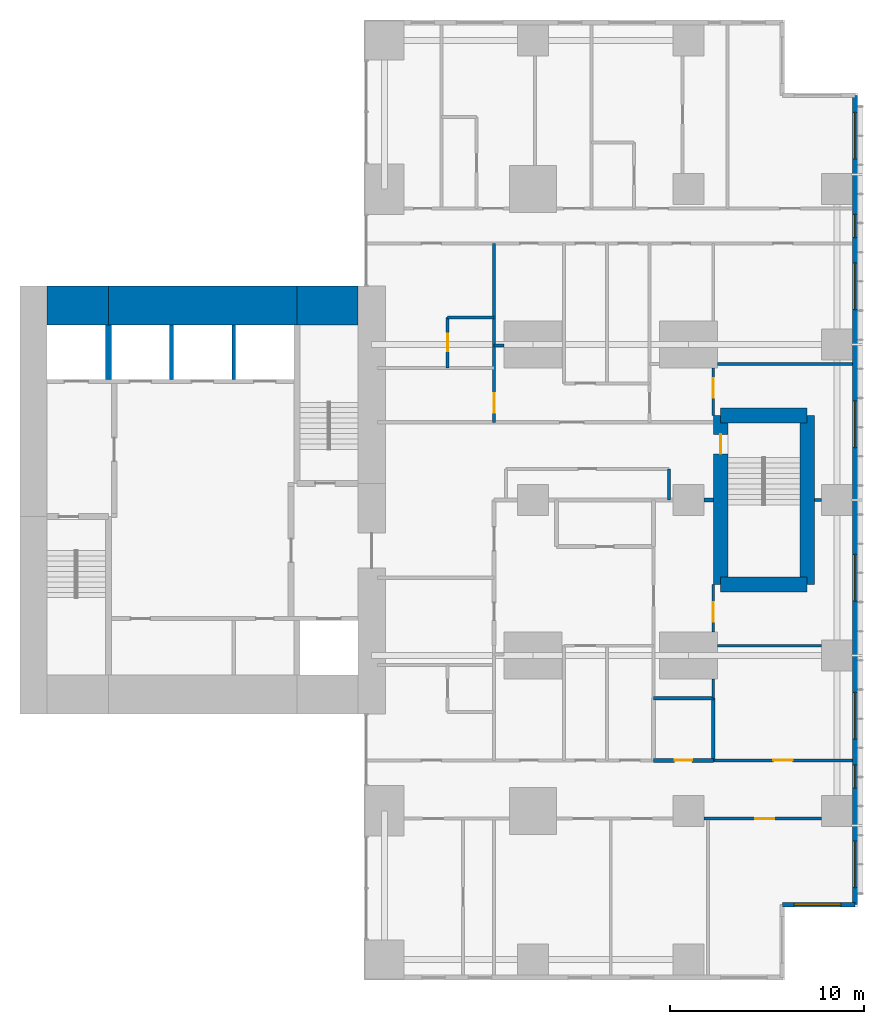
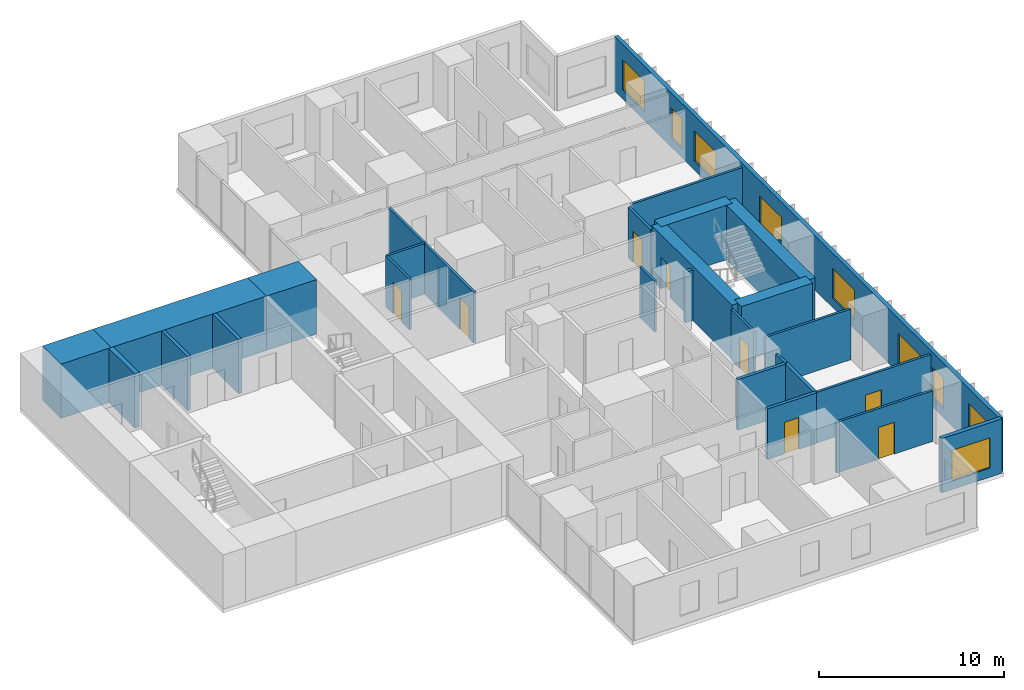
# One storey, part 9 of 12: 29 walls, 9 windows, 8 doors, 17 openings.
"""IFC4 building model written with IfcOpenShell, lengths in metres."""

from ifc_helpers import new_model, si_unit, direction, frame, frame_2d, origin, place, context, subcontext, project, spatial, rectangle, extrude, material, layer, layer_set, type_object, element, fill, save


model = new_model("IFC4")

# Units and contexts
model_context = context("Model", 3, precision=1e-05, world=origin(), true_north=direction((0.0, 1.0)))
body_context = subcontext(model_context, "Body", "Model", "MODEL_VIEW")
ifc_project = project(units=[si_unit("LENGTHUNIT", "METRE"), si_unit("AREAUNIT", "SQUARE_METRE"), si_unit("VOLUMEUNIT", "CUBIC_METRE"), si_unit("PLANEANGLEUNIT", "RADIAN"), si_unit("MASSUNIT", "GRAM", prefix="KILO")], contexts=[model_context])

# Site, building, storey
site_placement = place(None, origin())
site = spatial("IfcSite", under=ifc_project, at=site_placement, CompositionType="ELEMENT")
building_placement = place(site_placement, origin())
building = spatial("IfcBuilding", under=site, at=building_placement, Name="Cleftline Residences", CompositionType="ELEMENT")
storey_placement = place(building_placement, frame((0.0, 0.0, 262.800048828125)))
storey = spatial("IfcBuildingStorey", under=building, at=storey_placement, Name="L69", CompositionType="ELEMENT", Elevation=262.800048828125)

# Walls
ifc_material_1 = material(Name="Concrete B70", Category="concrete")
ifc_layer_1 = layer(ifc_material_1, 2.0)
ifc_layer_set_1 = layer_set([ifc_layer_1], Name="CORE WALL 2000")
wall_type_1 = type_object("IfcWallType", Name="CORE WALL 2000", PredefinedType="SHEAR", material=ifc_layer_set_1)
wall_1_placement = place(storey_placement, frame((25.0, 34.0, 0.0), z_axis=(0.0, 0.0, 1.0), x_axis=(1.0, 0.0, 0.0)))
element("IfcWall", 1, at=wall_1_placement, inside=storey, type_object=wall_type_1, Name="Core wall N1", PredefinedType="SHEAR", context=body_context, shape_type="SweptSolid", body=[
    extrude(rectangle(XDim=3.14990234375, YDim=2.0, at=frame_2d((1.574951171875, 0.0))), origin(), (0.0, 0.0, 1.0), 3.599853515625),
])
wall_2_placement = place(storey_placement, frame((28.14990234375, 34.0, 0.0), z_axis=(0.0, 0.0, 1.0), x_axis=(1.0, 0.0, 0.0)))
element("IfcWall", 2, at=wall_2_placement, inside=storey, type_object=wall_type_1, Name="Core wall N2", PredefinedType="SHEAR", context=body_context, shape_type="SweptSolid", body=[
    extrude(rectangle(XDim=9.7001953125, YDim=2.0, at=frame_2d((4.85009765625, 0.0))), origin(), (0.0, 0.0, 1.0), 3.599853515625),
])
wall_3_placement = place(storey_placement, frame((37.85009765625, 34.0, 0.0), z_axis=(0.0, 0.0, 1.0), x_axis=(1.0, 0.0, 0.0)))
element("IfcWall", 3, at=wall_3_placement, inside=storey, type_object=wall_type_1, Name="Core wall N3", PredefinedType="SHEAR", context=body_context, shape_type="SweptSolid", body=[
    extrude(rectangle(XDim=3.14990234375, YDim=2.0, at=frame_2d((1.574951171875, 0.0))), origin(), (0.0, 0.0, 1.0), 3.599853515625),
])
ifc_material_2 = material(Name="Concrete B70", Category="concrete")
ifc_layer_2 = layer(ifc_material_2, 0.300048828125)
ifc_layer_set_2 = layer_set([ifc_layer_2], Name="CORE WALL 300")
wall_type_2 = type_object("IfcWallType", Name="CORE WALL 300", PredefinedType="SHEAR", material=ifc_layer_set_2)
wall_4_placement = place(storey_placement, frame((28.14990234375, 30.199951171875, 0.0), z_axis=(0.0, 0.0, 1.0), x_axis=(0.0, 1.0, 0.0)))
element("IfcWall", 4, at=wall_4_placement, inside=storey, type_object=wall_type_2, Name="Lift shaft wall", PredefinedType="SHEAR", context=body_context, shape_type="SweptSolid", body=[
    extrude(rectangle(XDim=2.800048828125, YDim=0.300048828125, at=frame_2d((1.39990234375, 0.0))), origin(), (0.0, 0.0, 1.0), 3.599853515625),
])

# Wall, opening, window
ifc_material_3 = material(Name="Rendered reinforced concrete blockwork", Category="masonry")
ifc_layer_3 = layer(ifc_material_3, 0.25)
ifc_layer_set_3 = layer_set([ifc_layer_3], Name="EXTERNAL WALL 250")
wall_type_3 = type_object("IfcWallType", Name="EXTERNAL WALL 250", PredefinedType="SOLIDWALL", material=ifc_layer_set_3)
wall_5_placement = place(storey_placement, frame((62.824951171875, 3.175048828125, 0.0), z_axis=(0.0, 0.0, 1.0), x_axis=(1.0, 0.0, 0.0)))
wall_5 = element("IfcWall", 5, at=wall_5_placement, inside=storey, type_object=wall_type_3, Name="External wall", PredefinedType="SOLIDWALL", context=body_context, shape_type="SweptSolid", body=[
    extrude(rectangle(XDim=3.75, YDim=0.25, at=frame_2d((1.875, 0.0))), origin(), (0.0, 0.0, 1.0), 3.599853515625),
])
opening_1_placement = place(wall_5_placement, frame((0.612548828125, 0.0, 0.60009765625)))
opening_1 = element("IfcOpeningElement", 6, at=opening_1_placement, cuts=wall_5, Name="Opening W6", PredefinedType="OPENING", context=body_context, shape_type="SweptSolid", body=[
    extrude(rectangle(XDim=2.39990234375, YDim=2.0, at=frame_2d((1.199951171875, 1.0))), frame((0.0, 0.135009765625, 0.0), z_axis=(0.0, -1.0, 0.0), x_axis=(1.0, 0.0, 0.0)), (0.0, 0.0, 1.0), 0.27001953125),
])
ifc_material_4 = material(Name="Aluminium frame, clear double glazing", Category="aluminium")
window_type_1 = type_object("IfcWindowType", Name="WINDOW 2400X2000", PartitioningType="DOUBLE_PANEL_VERTICAL", PredefinedType="WINDOW", material=ifc_material_4)
window_1_placement = place(opening_1_placement, origin())
window_1 = element("IfcWindow", 7, at=window_1_placement, inside=storey, type_object=window_type_1, Name="Window", OverallHeight=2.0, OverallWidth=2.39990234375, PartitioningType="SINGLE_PANEL", PredefinedType="WINDOW", context=body_context, shape_type="SweptSolid", body=[
    extrude(rectangle(XDim=2.39990234375, YDim=2.0, at=frame_2d((1.199951171875, 1.0))), frame((0.0, 0.030029296875, 0.0), z_axis=(0.0, -1.0, 0.0), x_axis=(1.0, 0.0, 0.0)), (0.0, 0.0, 1.0), 0.06005859375),
])
fill(opening_1, window_1)

# Wall, openings, windows
wall_6_placement = place(storey_placement, frame((66.574951171875, 3.175048828125, 0.0), z_axis=(0.0, 0.0, 1.0), x_axis=(0.0, 1.0, 0.0)))
wall_6 = element("IfcWall", 8, at=wall_6_placement, inside=storey, type_object=wall_type_3, Name="External wall", PredefinedType="SOLIDWALL", context=body_context, shape_type="SweptSolid", body=[
    extrude(rectangle(XDim=41.64990234375, YDim=0.25, at=frame_2d((20.824951171875, 0.0))), origin(), (0.0, 0.0, 1.0), 3.599853515625),
])
opening_2_placement = place(wall_6_placement, frame((0.875, 0.0, 0.60009765625)))
opening_2 = element("IfcOpeningElement", 9, at=opening_2_placement, cuts=wall_6, Name="Opening W6", PredefinedType="OPENING", context=body_context, shape_type="SweptSolid", body=[
    extrude(rectangle(XDim=2.39990234375, YDim=2.0, at=frame_2d((1.199951171875, 1.0))), frame((0.0, 0.135009765625, 0.0), z_axis=(0.0, -1.0, 0.0), x_axis=(1.0, 0.0, 0.0)), (0.0, 0.0, 1.0), 0.27001953125),
])
opening_3_placement = place(wall_6_placement, frame((6.0, 0.0, 0.60009765625)))
opening_3 = element("IfcOpeningElement", 10, at=opening_3_placement, cuts=wall_6, Name="Opening W8", PredefinedType="OPENING", context=body_context, shape_type="SweptSolid", body=[
    extrude(rectangle(XDim=1.199951171875, YDim=2.0, at=frame_2d((0.60009765625, 1.0))), frame((0.0, 0.135009765625, 0.0), z_axis=(0.0, -1.0, 0.0), x_axis=(1.0, 0.0, 0.0)), (0.0, 0.0, 1.0), 0.27001953125),
])
opening_4_placement = place(wall_6_placement, frame((8.52490234375, 0.0, 0.60009765625)))
opening_4 = element("IfcOpeningElement", 11, at=opening_4_placement, cuts=wall_6, Name="Opening W6", PredefinedType="OPENING", context=body_context, shape_type="SweptSolid", body=[
    extrude(rectangle(XDim=2.39990234375, YDim=2.0, at=frame_2d((1.199951171875, 1.0))), frame((0.0, 0.135009765625, 0.0), z_axis=(0.0, -1.0, 0.0), x_axis=(1.0, 0.0, 0.0)), (0.0, 0.0, 1.0), 0.27001953125),
])
opening_5_placement = place(wall_6_placement, frame((15.625, 0.0, 0.60009765625)))
opening_5 = element("IfcOpeningElement", 12, at=opening_5_placement, cuts=wall_6, Name="Opening W6", PredefinedType="OPENING", context=body_context, shape_type="SweptSolid", body=[
    extrude(rectangle(XDim=2.39990234375, YDim=2.0, at=frame_2d((1.199951171875, 1.0))), frame((0.0, 0.135009765625, 0.0), z_axis=(0.0, -1.0, 0.0), x_axis=(1.0, 0.0, 0.0)), (0.0, 0.0, 1.0), 0.27001953125),
])
opening_6_placement = place(wall_6_placement, frame((23.52490234375, 0.0, 0.60009765625)))
opening_6 = element("IfcOpeningElement", 13, at=opening_6_placement, cuts=wall_6, Name="Opening W6", PredefinedType="OPENING", context=body_context, shape_type="SweptSolid", body=[
    extrude(rectangle(XDim=2.39990234375, YDim=2.0, at=frame_2d((1.199951171875, 1.0))), frame((0.0, 0.135009765625, 0.0), z_axis=(0.0, -1.0, 0.0), x_axis=(1.0, 0.0, 0.0)), (0.0, 0.0, 1.0), 0.27001953125),
])
opening_7_placement = place(wall_6_placement, frame((30.625, 0.0, 0.60009765625)))
opening_7 = element("IfcOpeningElement", 14, at=opening_7_placement, cuts=wall_6, Name="Opening W6", PredefinedType="OPENING", context=body_context, shape_type="SweptSolid", body=[
    extrude(rectangle(XDim=2.39990234375, YDim=2.0, at=frame_2d((1.199951171875, 1.0))), frame((0.0, 0.135009765625, 0.0), z_axis=(0.0, -1.0, 0.0), x_axis=(1.0, 0.0, 0.0)), (0.0, 0.0, 1.0), 0.27001953125),
])
opening_8_placement = place(wall_6_placement, frame((34.324951171875, 0.0, 0.60009765625)))
opening_8 = element("IfcOpeningElement", 15, at=opening_8_placement, cuts=wall_6, Name="Opening W8", PredefinedType="OPENING", context=body_context, shape_type="SweptSolid", body=[
    extrude(rectangle(XDim=1.199951171875, YDim=2.0, at=frame_2d((0.60009765625, 1.0))), frame((0.0, 0.135009765625, 0.0), z_axis=(0.0, -1.0, 0.0), x_axis=(1.0, 0.0, 0.0)), (0.0, 0.0, 1.0), 0.27001953125),
])
opening_9_placement = place(wall_6_placement, frame((38.375, 0.0, 0.60009765625)))
opening_9 = element("IfcOpeningElement", 16, at=opening_9_placement, cuts=wall_6, Name="Opening W6", PredefinedType="OPENING", context=body_context, shape_type="SweptSolid", body=[
    extrude(rectangle(XDim=2.39990234375, YDim=2.0, at=frame_2d((1.199951171875, 1.0))), frame((0.0, 0.135009765625, 0.0), z_axis=(0.0, -1.0, 0.0), x_axis=(1.0, 0.0, 0.0)), (0.0, 0.0, 1.0), 0.27001953125),
])
ifc_material_5 = material(Name="Aluminium frame, clear double glazing", Category="aluminium")
window_type_2 = type_object("IfcWindowType", Name="WINDOW 1200X2000", PartitioningType="DOUBLE_PANEL_VERTICAL", PredefinedType="WINDOW", material=ifc_material_5)
window_2_placement = place(opening_3_placement, origin())
window_2 = element("IfcWindow", 17, at=window_2_placement, inside=storey, type_object=window_type_2, Name="Window", OverallHeight=2.0, OverallWidth=1.199951171875, PartitioningType="SINGLE_PANEL", PredefinedType="WINDOW", context=body_context, shape_type="SweptSolid", body=[
    extrude(rectangle(XDim=1.199951171875, YDim=2.0, at=frame_2d((0.60009765625, 1.0))), frame((0.0, 0.030029296875, 0.0), z_axis=(0.0, -1.0, 0.0), x_axis=(1.0, 0.0, 0.0)), (0.0, 0.0, 1.0), 0.06005859375),
])
fill(opening_3, window_2)
window_3_placement = place(opening_8_placement, origin())
window_3 = element("IfcWindow", 18, at=window_3_placement, inside=storey, type_object=window_type_2, Name="Window", OverallHeight=2.0, OverallWidth=1.199951171875, PartitioningType="SINGLE_PANEL", PredefinedType="WINDOW", context=body_context, shape_type="SweptSolid", body=[
    extrude(rectangle(XDim=1.199951171875, YDim=2.0, at=frame_2d((0.60009765625, 1.0))), frame((0.0, 0.030029296875, 0.0), z_axis=(0.0, -1.0, 0.0), x_axis=(1.0, 0.0, 0.0)), (0.0, 0.0, 1.0), 0.06005859375),
])
fill(opening_8, window_3)
window_4_placement = place(opening_2_placement, origin())
window_4 = element("IfcWindow", 19, at=window_4_placement, inside=storey, type_object=window_type_1, Name="Window", OverallHeight=2.0, OverallWidth=2.39990234375, PartitioningType="SINGLE_PANEL", PredefinedType="WINDOW", context=body_context, shape_type="SweptSolid", body=[
    extrude(rectangle(XDim=2.39990234375, YDim=2.0, at=frame_2d((1.199951171875, 1.0))), frame((0.0, 0.030029296875, 0.0), z_axis=(0.0, -1.0, 0.0), x_axis=(1.0, 0.0, 0.0)), (0.0, 0.0, 1.0), 0.06005859375),
])
fill(opening_2, window_4)
window_5_placement = place(opening_4_placement, origin())
window_5 = element("IfcWindow", 20, at=window_5_placement, inside=storey, type_object=window_type_1, Name="Window", OverallHeight=2.0, OverallWidth=2.39990234375, PartitioningType="SINGLE_PANEL", PredefinedType="WINDOW", context=body_context, shape_type="SweptSolid", body=[
    extrude(rectangle(XDim=2.39990234375, YDim=2.0, at=frame_2d((1.199951171875, 1.0))), frame((0.0, 0.030029296875, 0.0), z_axis=(0.0, -1.0, 0.0), x_axis=(1.0, 0.0, 0.0)), (0.0, 0.0, 1.0), 0.06005859375),
])
fill(opening_4, window_5)
window_6_placement = place(opening_5_placement, origin())
window_6 = element("IfcWindow", 21, at=window_6_placement, inside=storey, type_object=window_type_1, Name="Window", OverallHeight=2.0, OverallWidth=2.39990234375, PartitioningType="SINGLE_PANEL", PredefinedType="WINDOW", context=body_context, shape_type="SweptSolid", body=[
    extrude(rectangle(XDim=2.39990234375, YDim=2.0, at=frame_2d((1.199951171875, 1.0))), frame((0.0, 0.030029296875, 0.0), z_axis=(0.0, -1.0, 0.0), x_axis=(1.0, 0.0, 0.0)), (0.0, 0.0, 1.0), 0.06005859375),
])
fill(opening_5, window_6)
window_7_placement = place(opening_6_placement, origin())
window_7 = element("IfcWindow", 22, at=window_7_placement, inside=storey, type_object=window_type_1, Name="Window", OverallHeight=2.0, OverallWidth=2.39990234375, PartitioningType="SINGLE_PANEL", PredefinedType="WINDOW", context=body_context, shape_type="SweptSolid", body=[
    extrude(rectangle(XDim=2.39990234375, YDim=2.0, at=frame_2d((1.199951171875, 1.0))), frame((0.0, 0.030029296875, 0.0), z_axis=(0.0, -1.0, 0.0), x_axis=(1.0, 0.0, 0.0)), (0.0, 0.0, 1.0), 0.06005859375),
])
fill(opening_6, window_7)
window_8_placement = place(opening_7_placement, origin())
window_8 = element("IfcWindow", 23, at=window_8_placement, inside=storey, type_object=window_type_1, Name="Window", OverallHeight=2.0, OverallWidth=2.39990234375, PartitioningType="SINGLE_PANEL", PredefinedType="WINDOW", context=body_context, shape_type="SweptSolid", body=[
    extrude(rectangle(XDim=2.39990234375, YDim=2.0, at=frame_2d((1.199951171875, 1.0))), frame((0.0, 0.030029296875, 0.0), z_axis=(0.0, -1.0, 0.0), x_axis=(1.0, 0.0, 0.0)), (0.0, 0.0, 1.0), 0.06005859375),
])
fill(opening_7, window_8)
window_9_placement = place(opening_9_placement, origin())
window_9 = element("IfcWindow", 24, at=window_9_placement, inside=storey, type_object=window_type_1, Name="Window", OverallHeight=2.0, OverallWidth=2.39990234375, PartitioningType="SINGLE_PANEL", PredefinedType="WINDOW", context=body_context, shape_type="SweptSolid", body=[
    extrude(rectangle(XDim=2.39990234375, YDim=2.0, at=frame_2d((1.199951171875, 1.0))), frame((0.0, 0.030029296875, 0.0), z_axis=(0.0, -1.0, 0.0), x_axis=(1.0, 0.0, 0.0)), (0.0, 0.0, 1.0), 0.06005859375),
])
fill(opening_9, window_9)

# Wall, opening, door
ifc_material_6 = material(Name="Concrete blockwork, fire rated", Category="masonry")
ifc_layer_4 = layer(ifc_material_6, 0.199951171875)
ifc_layer_set_4 = layer_set([ifc_layer_4], Name="FIRE WALL 200")
wall_type_4 = type_object("IfcWallType", Name="FIRE WALL 200", PredefinedType="PARTITIONING", material=ifc_layer_set_4)
wall_7_placement = place(storey_placement, frame((56.199951171875, 10.60009765625, 0.0), z_axis=(0.0, 0.0, 1.0), x_axis=(1.0, 0.0, 0.0)))
wall_7 = element("IfcWall", 25, at=wall_7_placement, inside=storey, type_object=wall_type_4, Name="Fire separating wall", PredefinedType="PARTITIONING", context=body_context, shape_type="SweptSolid", body=[
    extrude(rectangle(XDim=3.074951171875, YDim=0.199951171875, at=frame_2d((1.53759765625, 0.0))), origin(), (0.0, 0.0, 1.0), 3.349853515625),
])
opening_10_placement = place(wall_7_placement, frame((1.08740234375, 0.0, 0.0)))
opening_10 = element("IfcOpeningElement", 26, at=opening_10_placement, cuts=wall_7, Name="Opening D1F30", PredefinedType="OPENING", context=body_context, shape_type="SweptSolid", body=[
    extrude(rectangle(XDim=0.89990234375, YDim=2.10009765625, at=frame_2d((0.449951171875, 1.050048828125))), frame((0.0, 0.10986328125, 0.0), z_axis=(0.0, -1.0, 0.0), x_axis=(1.0, 0.0, 0.0)), (0.0, 0.0, 1.0), 0.219970703125),
])
ifc_material_7 = material(Name="Timber veneer on solid core", Category="wood")
door_type_1 = type_object("IfcDoorType", Name="DOOR 900X2100 EI 30", OperationType="SINGLE_SWING_LEFT", PredefinedType="DOOR", material=ifc_material_7)
door_1_placement = place(opening_10_placement, origin())
door_1 = element("IfcDoor", 27, at=door_1_placement, inside=storey, type_object=door_type_1, Name="Door to guest wc", OperationType="SINGLE_SWING_LEFT", OverallHeight=2.10009765625, OverallWidth=0.89990234375, PredefinedType="DOOR", context=body_context, shape_type="SweptSolid", body=[
    extrude(rectangle(XDim=0.89990234375, YDim=2.10009765625, at=frame_2d((0.449951171875, 1.050048828125))), frame((0.0, 0.02490234375, 0.0), z_axis=(0.0, -1.0, 0.0), x_axis=(1.0, 0.0, 0.0)), (0.0, 0.0, 1.0), 0.050048828125),
])
fill(opening_10, door_1)

# Walls
wall_8_placement = place(storey_placement, frame((56.199951171875, 13.800048828125, 0.0), z_axis=(0.0, 0.0, 1.0), x_axis=(1.0, 0.0, 0.0)))
element("IfcWall", 28, at=wall_8_placement, inside=storey, type_object=wall_type_4, Name="Fire separating wall", PredefinedType="PARTITIONING", context=body_context, shape_type="SweptSolid", body=[
    extrude(rectangle(XDim=3.074951171875, YDim=0.199951171875, at=frame_2d((1.53759765625, 0.0))), origin(), (0.0, 0.0, 1.0), 3.349853515625),
])
wall_9_placement = place(storey_placement, frame((58.800048828125, 24.0, 0.0), z_axis=(0.0, 0.0, 1.0), x_axis=(1.0, 0.0, 0.0)))
element("IfcWall", 29, at=wall_9_placement, inside=storey, type_object=wall_type_4, Name="Fire separating wall", PredefinedType="PARTITIONING", context=body_context, shape_type="SweptSolid", body=[
    extrude(rectangle(XDim=0.474853515625, YDim=0.199951171875, at=frame_2d((0.2373046875, 0.0))), origin(), (0.0, 0.0, 1.0), 3.349853515625),
])
wall_10_placement = place(storey_placement, frame((59.27490234375, 10.60009765625, 0.0), z_axis=(0.0, 0.0, 1.0), x_axis=(0.0, 1.0, 0.0)))
element("IfcWall", 30, at=wall_10_placement, inside=storey, type_object=wall_type_4, Name="Fire separating wall", PredefinedType="PARTITIONING", context=body_context, shape_type="SweptSolid", body=[
    extrude(rectangle(XDim=3.199951171875, YDim=0.199951171875, at=frame_2d((1.60009765625, 0.0))), origin(), (0.0, 0.0, 1.0), 3.349853515625),
])

# Wall, opening, door
ifc_material_8 = material(Name="Gypsum board on steel studs", Category="steel")
ifc_layer_5 = layer(ifc_material_8, 0.14990234375)
ifc_layer_set_5 = layer_set([ifc_layer_5], Name="PARTITION 150")
wall_type_5 = type_object("IfcWallType", Name="PARTITION 150", PredefinedType="PARTITIONING", material=ifc_layer_set_5)
wall_11_placement = place(storey_placement, frame((58.800048828125, 7.60009765625, 0.0), z_axis=(0.0, 0.0, 1.0), x_axis=(1.0, 0.0, 0.0)))
wall_11 = element("IfcWall", 31, at=wall_11_placement, inside=storey, type_object=wall_type_5, Name="Partition", PredefinedType="PARTITIONING", context=body_context, shape_type="SweptSolid", body=[
    extrude(rectangle(XDim=6.050048828125, YDim=0.14990234375, at=frame_2d((3.02490234375, 0.0))), origin(), (0.0, 0.0, 1.0), 3.349853515625),
])
opening_11_placement = place(wall_11_placement, frame((2.625, 0.0, 0.0)))
opening_11 = element("IfcOpeningElement", 32, at=opening_11_placement, cuts=wall_11, Name="Opening D2", PredefinedType="OPENING", context=body_context, shape_type="SweptSolid", body=[
    extrude(rectangle(XDim=1.0, YDim=2.10009765625, at=frame_2d((0.5, 1.050048828125))), frame((0.0, 0.0849609375, 0.0), z_axis=(0.0, -1.0, 0.0), x_axis=(1.0, 0.0, 0.0)), (0.0, 0.0, 1.0), 0.169921875),
])
ifc_material_9 = material(Name="Timber veneer on solid core", Category="wood")
door_type_2 = type_object("IfcDoorType", Name="DOOR 1000X2100", OperationType="SINGLE_SWING_LEFT", PredefinedType="DOOR", material=ifc_material_9)
door_2_placement = place(opening_11_placement, origin())
door_2 = element("IfcDoor", 33, at=door_2_placement, inside=storey, type_object=door_type_2, Name="Door to winter garden", OperationType="SINGLE_SWING_LEFT", OverallHeight=2.10009765625, OverallWidth=1.0, PredefinedType="DOOR", context=body_context, shape_type="SweptSolid", body=[
    extrude(rectangle(XDim=1.0, YDim=2.10009765625, at=frame_2d((0.5, 1.050048828125))), frame((0.0, 0.02490234375, 0.0), z_axis=(0.0, -1.0, 0.0), x_axis=(1.0, 0.0, 0.0)), (0.0, 0.0, 1.0), 0.050048828125),
])
fill(opening_11, door_2)

wall_12_placement = place(storey_placement, frame((59.27490234375, 10.60009765625, 0.0), z_axis=(0.0, 0.0, 1.0), x_axis=(1.0, 0.0, 0.0)))
wall_12 = element("IfcWall", 34, at=wall_12_placement, inside=storey, type_object=wall_type_5, Name="Partition", PredefinedType="PARTITIONING", context=body_context, shape_type="SweptSolid", body=[
    extrude(rectangle(XDim=7.175048828125, YDim=0.14990234375, at=frame_2d((3.58740234375, 0.0))), origin(), (0.0, 0.0, 1.0), 3.349853515625),
])
opening_12_placement = place(wall_12_placement, frame((3.08740234375, 0.0, 0.0)))
opening_12 = element("IfcOpeningElement", 35, at=opening_12_placement, cuts=wall_12, Name="Opening D2", PredefinedType="OPENING", context=body_context, shape_type="SweptSolid", body=[
    extrude(rectangle(XDim=1.0, YDim=2.10009765625, at=frame_2d((0.5, 1.050048828125))), frame((0.0, 0.0849609375, 0.0), z_axis=(0.0, -1.0, 0.0), x_axis=(1.0, 0.0, 0.0)), (0.0, 0.0, 1.0), 0.169921875),
])
door_3_placement = place(opening_12_placement, origin())
door_3 = element("IfcDoor", 36, at=door_3_placement, inside=storey, type_object=door_type_2, Name="Door to sea-view lounge", OperationType="SINGLE_SWING_LEFT", OverallHeight=2.10009765625, OverallWidth=1.0, PredefinedType="DOOR", context=body_context, shape_type="SweptSolid", body=[
    extrude(rectangle(XDim=1.0, YDim=2.10009765625, at=frame_2d((0.5, 1.050048828125))), frame((0.0, 0.02490234375, 0.0), z_axis=(0.0, -1.0, 0.0), x_axis=(1.0, 0.0, 0.0)), (0.0, 0.0, 1.0), 0.050048828125),
])
fill(opening_12, door_3)

# Walls
wall_13_placement = place(storey_placement, frame((59.5, 16.5, 0.0), z_axis=(0.0, 0.0, 1.0), x_axis=(1.0, 0.0, 0.0)))
element("IfcWall", 37, at=wall_13_placement, inside=storey, type_object=wall_type_5, Name="Partition", PredefinedType="PARTITIONING", context=body_context, shape_type="SweptSolid", body=[
    extrude(rectangle(XDim=5.35009765625, YDim=0.14990234375, at=frame_2d((2.675048828125, 0.0))), origin(), (0.0, 0.0, 1.0), 3.349853515625),
])
wall_14_placement = place(storey_placement, frame((64.47509765625, 24.0, 0.0), z_axis=(0.0, 0.0, 1.0), x_axis=(1.0, 0.0, 0.0)))
element("IfcWall", 38, at=wall_14_placement, inside=storey, type_object=wall_type_5, Name="Partition", PredefinedType="PARTITIONING", context=body_context, shape_type="SweptSolid", body=[
    extrude(rectangle(XDim=0.375, YDim=0.14990234375, at=frame_2d((0.1875, 0.0))), origin(), (0.0, 0.0, 1.0), 3.349853515625),
])
wall_15_placement = place(storey_placement, frame((59.5, 31.0, 0.0), z_axis=(0.0, 0.0, 1.0), x_axis=(1.0, 0.0, 0.0)))
element("IfcWall", 39, at=wall_15_placement, inside=storey, type_object=wall_type_5, Name="Partition", PredefinedType="PARTITIONING", context=body_context, shape_type="SweptSolid", body=[
    extrude(rectangle(XDim=6.949951171875, YDim=0.14990234375, at=frame_2d((3.47509765625, 0.0))), origin(), (0.0, 0.0, 1.0), 3.349853515625),
])
wall_16_placement = place(storey_placement, frame((48.0, 31.949951171875, 0.0), z_axis=(0.0, 0.0, 1.0), x_axis=(1.0, 0.0, 0.0)))
element("IfcWall", 40, at=wall_16_placement, inside=storey, type_object=wall_type_5, Name="Partition", PredefinedType="PARTITIONING", context=body_context, shape_type="SweptSolid", body=[
    extrude(rectangle(XDim=0.5, YDim=0.14990234375, at=frame_2d((0.25, 0.0))), origin(), (0.0, 0.0, 1.0), 2.634033203125),
])
wall_17_placement = place(storey_placement, frame((45.60009765625, 33.39990234375, 0.0), z_axis=(0.0, 0.0, 1.0), x_axis=(1.0, 0.0, 0.0)))
element("IfcWall", 41, at=wall_17_placement, inside=storey, type_object=wall_type_5, Name="Partition", PredefinedType="PARTITIONING", context=body_context, shape_type="SweptSolid", body=[
    extrude(rectangle(XDim=2.39990234375, YDim=0.14990234375, at=frame_2d((1.199951171875, 0.0))), origin(), (0.0, 0.0, 1.0), 3.349853515625),
])

# Wall, opening, door
wall_18_placement = place(storey_placement, frame((45.60009765625, 30.800048828125, 0.0), z_axis=(0.0, 0.0, 1.0), x_axis=(0.0, 1.0, 0.0)))
wall_18 = element("IfcWall", 42, at=wall_18_placement, inside=storey, type_object=wall_type_5, Name="Partition", PredefinedType="PARTITIONING", context=body_context, shape_type="SweptSolid", body=[
    extrude(rectangle(XDim=2.599853515625, YDim=0.14990234375, at=frame_2d((1.2998046875, 0.0))), origin(), (0.0, 0.0, 1.0), 3.349853515625),
])
opening_13_placement = place(wall_18_placement, frame((0.85009765625, 0.0, 0.0)))
opening_13 = element("IfcOpeningElement", 43, at=opening_13_placement, cuts=wall_18, Name="Opening D1", PredefinedType="OPENING", context=body_context, shape_type="SweptSolid", body=[
    extrude(rectangle(XDim=0.89990234375, YDim=2.10009765625, at=frame_2d((0.449951171875, 1.050048828125))), frame((0.0, 0.0849609375, 0.0), z_axis=(0.0, -1.0, 0.0), x_axis=(1.0, 0.0, 0.0)), (0.0, 0.0, 1.0), 0.169921875),
])
ifc_material_10 = material(Name="Timber veneer on solid core", Category="wood")
door_type_3 = type_object("IfcDoorType", Name="DOOR 900X2100", OperationType="SINGLE_SWING_LEFT", PredefinedType="DOOR", material=ifc_material_10)
door_4_placement = place(opening_13_placement, origin())
door_4 = element("IfcDoor", 44, at=door_4_placement, inside=storey, type_object=door_type_3, Name="Door to en-suite bathroom 4", OperationType="SINGLE_SWING_LEFT", OverallHeight=2.10009765625, OverallWidth=0.89990234375, PredefinedType="DOOR", context=body_context, shape_type="SweptSolid", body=[
    extrude(rectangle(XDim=0.89990234375, YDim=2.10009765625, at=frame_2d((0.449951171875, 1.050048828125))), frame((0.0, 0.02490234375, 0.0), z_axis=(0.0, -1.0, 0.0), x_axis=(1.0, 0.0, 0.0)), (0.0, 0.0, 1.0), 0.050048828125),
])
fill(opening_13, door_4)

wall_19_placement = place(storey_placement, frame((48.0, 28.0, 0.0), z_axis=(0.0, 0.0, 1.0), x_axis=(0.0, 1.0, 0.0)))
wall_19 = element("IfcWall", 45, at=wall_19_placement, inside=storey, type_object=wall_type_5, Name="Partition", PredefinedType="PARTITIONING", context=body_context, shape_type="SweptSolid", body=[
    extrude(rectangle(XDim=9.199951171875, YDim=0.14990234375, at=frame_2d((4.60009765625, 0.0))), origin(), (0.0, 0.0, 1.0), 3.349853515625),
])
opening_14_placement = place(wall_19_placement, frame((0.5, 0.0, 0.0)))
opening_14 = element("IfcOpeningElement", 46, at=opening_14_placement, cuts=wall_19, Name="Opening D2", PredefinedType="OPENING", context=body_context, shape_type="SweptSolid", body=[
    extrude(rectangle(XDim=1.0, YDim=2.10009765625, at=frame_2d((0.5, 1.050048828125))), frame((0.0, 0.0849609375, 0.0), z_axis=(0.0, -1.0, 0.0), x_axis=(1.0, 0.0, 0.0)), (0.0, 0.0, 1.0), 0.169921875),
])
door_5_placement = place(opening_14_placement, origin())
door_5 = element("IfcDoor", 47, at=door_5_placement, inside=storey, type_object=door_type_2, Name="Door to morning kitchen", OperationType="SINGLE_SWING_RIGHT", OverallHeight=2.10009765625, OverallWidth=1.0, PredefinedType="DOOR", context=body_context, shape_type="SweptSolid", body=[
    extrude(rectangle(XDim=1.0, YDim=2.10009765625, at=frame_2d((0.5, 1.050048828125))), frame((0.0, 0.02490234375, 0.0), z_axis=(0.0, -1.0, 0.0), x_axis=(1.0, 0.0, 0.0)), (0.0, 0.0, 1.0), 0.050048828125),
])
fill(opening_14, door_5)

# Walls
wall_20_placement = place(storey_placement, frame((57.0, 24.0, 0.0), z_axis=(0.0, 0.0, 1.0), x_axis=(0.0, 1.0, 0.0)))
element("IfcWall", 48, at=wall_20_placement, inside=storey, type_object=wall_type_5, Name="Partition", PredefinedType="PARTITIONING", context=body_context, shape_type="SweptSolid", body=[
    extrude(rectangle(XDim=1.60009765625, YDim=0.14990234375, at=frame_2d((0.800048828125, 0.0))), origin(), (0.0, 0.0, 1.0), 3.349853515625),
])
wall_21_placement = place(storey_placement, frame((59.27490234375, 13.800048828125, 0.0), z_axis=(0.0, 0.0, 1.0), x_axis=(0.0, 1.0, 0.0)))
element("IfcWall", 49, at=wall_21_placement, inside=storey, type_object=wall_type_5, Name="Partition", PredefinedType="PARTITIONING", context=body_context, shape_type="SweptSolid", body=[
    extrude(rectangle(XDim=1.0, YDim=0.14990234375, at=frame_2d((0.5, 0.0))), origin(), (0.0, 0.0, 1.0), 3.349853515625),
])

# Wall, opening, door
wall_22_placement = place(storey_placement, frame((59.27490234375, 17.199951171875, 0.0), z_axis=(0.0, 0.0, 1.0), x_axis=(0.0, 1.0, 0.0)))
wall_22 = element("IfcWall", 50, at=wall_22_placement, inside=storey, type_object=wall_type_5, Name="Partition", PredefinedType="PARTITIONING", context=body_context, shape_type="SweptSolid", body=[
    extrude(rectangle(XDim=2.449951171875, YDim=0.14990234375, at=frame_2d((1.22509765625, 0.0))), origin(), (0.0, 0.0, 1.0), 3.349853515625),
])
opening_15_placement = place(wall_22_placement, frame((0.53759765625, 0.0, 0.0)))
opening_15 = element("IfcOpeningElement", 51, at=opening_15_placement, cuts=wall_22, Name="Opening D2", PredefinedType="OPENING", context=body_context, shape_type="SweptSolid", body=[
    extrude(rectangle(XDim=1.0, YDim=2.10009765625, at=frame_2d((0.5, 1.050048828125))), frame((0.0, 0.0849609375, 0.0), z_axis=(0.0, -1.0, 0.0), x_axis=(1.0, 0.0, 0.0)), (0.0, 0.0, 1.0), 0.169921875),
])
door_6_placement = place(opening_15_placement, origin())
door_6 = element("IfcDoor", 52, at=door_6_placement, inside=storey, type_object=door_type_2, Name="Door to library", OperationType="SINGLE_SWING_RIGHT", OverallHeight=2.10009765625, OverallWidth=1.0, PredefinedType="DOOR", context=body_context, shape_type="SweptSolid", body=[
    extrude(rectangle(XDim=1.0, YDim=2.10009765625, at=frame_2d((0.5, 1.050048828125))), frame((0.0, 0.02490234375, 0.0), z_axis=(0.0, -1.0, 0.0), x_axis=(1.0, 0.0, 0.0)), (0.0, 0.0, 1.0), 0.050048828125),
])
fill(opening_15, door_6)

wall_23_placement = place(storey_placement, frame((59.27490234375, 28.35009765625, 0.0), z_axis=(0.0, 0.0, 1.0), x_axis=(0.0, 1.0, 0.0)))
wall_23 = element("IfcWall", 53, at=wall_23_placement, inside=storey, type_object=wall_type_5, Name="Partition", PredefinedType="PARTITIONING", context=body_context, shape_type="SweptSolid", body=[
    extrude(rectangle(XDim=2.449951171875, YDim=0.14990234375, at=frame_2d((1.22509765625, 0.0))), origin(), (0.0, 0.0, 1.0), 3.349853515625),
])
opening_16_placement = place(wall_23_placement, frame((0.91259765625, 0.0, 0.0)))
opening_16 = element("IfcOpeningElement", 54, at=opening_16_placement, cuts=wall_23, Name="Opening D2", PredefinedType="OPENING", context=body_context, shape_type="SweptSolid", body=[
    extrude(rectangle(XDim=1.0, YDim=2.10009765625, at=frame_2d((0.5, 1.050048828125))), frame((0.0, 0.0849609375, 0.0), z_axis=(0.0, -1.0, 0.0), x_axis=(1.0, 0.0, 0.0)), (0.0, 0.0, 1.0), 0.169921875),
])
door_7_placement = place(opening_16_placement, origin())
door_7 = element("IfcDoor", 55, at=door_7_placement, inside=storey, type_object=door_type_2, Name="Door to altar room", OperationType="SINGLE_SWING_LEFT", OverallHeight=2.10009765625, OverallWidth=1.0, PredefinedType="DOOR", context=body_context, shape_type="SweptSolid", body=[
    extrude(rectangle(XDim=1.0, YDim=2.10009765625, at=frame_2d((0.5, 1.050048828125))), frame((0.0, 0.02490234375, 0.0), z_axis=(0.0, -1.0, 0.0), x_axis=(1.0, 0.0, 0.0)), (0.0, 0.0, 1.0), 0.050048828125),
])
fill(opening_16, door_7)

# Walls
ifc_material_11 = material(Name="Concrete blockwork, fire rated", Category="masonry")
ifc_layer_6 = layer(ifc_material_11, 0.199951171875)
ifc_layer_set_6 = layer_set([ifc_layer_6], Name="SHAFT WALL 200")
wall_type_6 = type_object("IfcWallType", Name="SHAFT WALL 200", PredefinedType="PARTITIONING", material=ifc_layer_set_6)
for number, where, z_axis, x_axis, name in (
    (56, (31.39990234375, 30.199951171875, 0.0), (0.0, 0.0, 1.0), (0.0, 1.0, 0.0), "Lift shaft wall"),
    (57, (34.60009765625, 30.199951171875, 0.0), (0.0, 0.0, 1.0), (0.0, 1.0, 0.0), "Lift shaft wall"),
):
    element("IfcWall", number, at=place(storey_placement, frame(where, z_axis=z_axis, x_axis=x_axis)), inside=storey, type_object=wall_type_6, Name=name, PredefinedType="PARTITIONING", context=body_context, shape_type="SweptSolid", body=[
        extrude(rectangle(XDim=2.800048828125, YDim=0.199951171875, at=frame_2d((1.39990234375, 0.0))), origin(), (0.0, 0.0, 1.0), 3.599853515625),
    ])
ifc_material_12 = material(Name="Concrete B70", Category="concrete")
ifc_layer_7 = layer(ifc_material_12, 0.75)
ifc_layer_set_7 = layer_set([ifc_layer_7], Name="SHEAR WALL 750")
wall_type_7 = type_object("IfcWallType", Name="SHEAR WALL 750", PredefinedType="SHEAR", material=ifc_layer_set_7)
wall_24_placement = place(storey_placement, frame((59.64990234375, 19.64990234375, 0.0), z_axis=(0.0, 0.0, 1.0), x_axis=(1.0, 0.0, 0.0)))
element("IfcWall", 58, at=wall_24_placement, inside=storey, type_object=wall_type_7, Name="Wing shear wall", PredefinedType="SHEAR", context=body_context, shape_type="SweptSolid", body=[
    extrude(rectangle(XDim=4.4501953125, YDim=0.75, at=frame_2d((2.22509765625, 0.0))), origin(), (0.0, 0.0, 1.0), 3.599853515625),
])
wall_25_placement = place(storey_placement, frame((64.10009765625, 19.64990234375, 0.0), z_axis=(0.0, 0.0, 1.0), x_axis=(0.0, 1.0, 0.0)))
element("IfcWall", 59, at=wall_25_placement, inside=storey, type_object=wall_type_7, Name="Wing shear wall", PredefinedType="SHEAR", context=body_context, shape_type="SweptSolid", body=[
    extrude(rectangle(XDim=8.7001953125, YDim=0.75, at=frame_2d((4.35009765625, 0.0))), origin(), (0.0, 0.0, 1.0), 3.599853515625),
])
wall_26_placement = place(storey_placement, frame((64.10009765625, 28.35009765625, 0.0), z_axis=(0.0, 0.0, 1.0), x_axis=(-1.0, 0.0, 0.0)))
element("IfcWall", 60, at=wall_26_placement, inside=storey, type_object=wall_type_7, Name="Wing shear wall", PredefinedType="SHEAR", context=body_context, shape_type="SweptSolid", body=[
    extrude(rectangle(XDim=4.4501953125, YDim=0.75, at=frame_2d((2.22509765625, 0.0))), origin(), (0.0, 0.0, 1.0), 3.599853515625),
])

# Wall, opening, door
wall_27_placement = place(storey_placement, frame((59.64990234375, 28.35009765625, 0.0), z_axis=(0.0, 0.0, 1.0), x_axis=(0.0, -1.0, 0.0)))
wall_27 = element("IfcWall", 61, at=wall_27_placement, inside=storey, type_object=wall_type_7, Name="Wing shear wall", PredefinedType="SHEAR", context=body_context, shape_type="SweptSolid", body=[
    extrude(rectangle(XDim=8.7001953125, YDim=0.75, at=frame_2d((4.35009765625, 0.0))), origin(), (0.0, 0.0, 1.0), 3.599853515625),
])
opening_17_placement = place(wall_27_placement, frame((0.97509765625, 0.0, 0.0)))
opening_17 = element("IfcOpeningElement", 62, at=opening_17_placement, cuts=wall_27, Name="Opening D5", PredefinedType="OPENING", context=body_context, shape_type="SweptSolid", body=[
    extrude(rectangle(XDim=1.0, YDim=2.10009765625, at=frame_2d((0.5, 1.050048828125))), frame((0.0, 0.385009765625, 0.0), z_axis=(0.0, -1.0, 0.0), x_axis=(1.0, 0.0, 0.0)), (0.0, 0.0, 1.0), 0.77001953125),
])
ifc_material_13 = material(Name="Steel", Category="steel")
door_type_4 = type_object("IfcDoorType", Name="STAIR DOOR 1000X2100", OperationType="SINGLE_SWING_LEFT", PredefinedType="DOOR", material=ifc_material_13)
door_8_placement = place(opening_17_placement, origin())
door_8 = element("IfcDoor", 63, at=door_8_placement, inside=storey, type_object=door_type_4, Name="Stair E door", OperationType="SINGLE_SWING_RIGHT", OverallHeight=2.10009765625, OverallWidth=1.0, PredefinedType="DOOR", context=body_context, shape_type="SweptSolid", body=[
    extrude(rectangle(XDim=1.0, YDim=2.10009765625, at=frame_2d((0.5, 1.050048828125))), frame((0.0, 0.02490234375, 0.0), z_axis=(0.0, -1.0, 0.0), x_axis=(1.0, 0.0, 0.0)), (0.0, 0.0, 1.0), 0.050048828125),
])
fill(opening_17, door_8)

save(model, "model.ifc")
